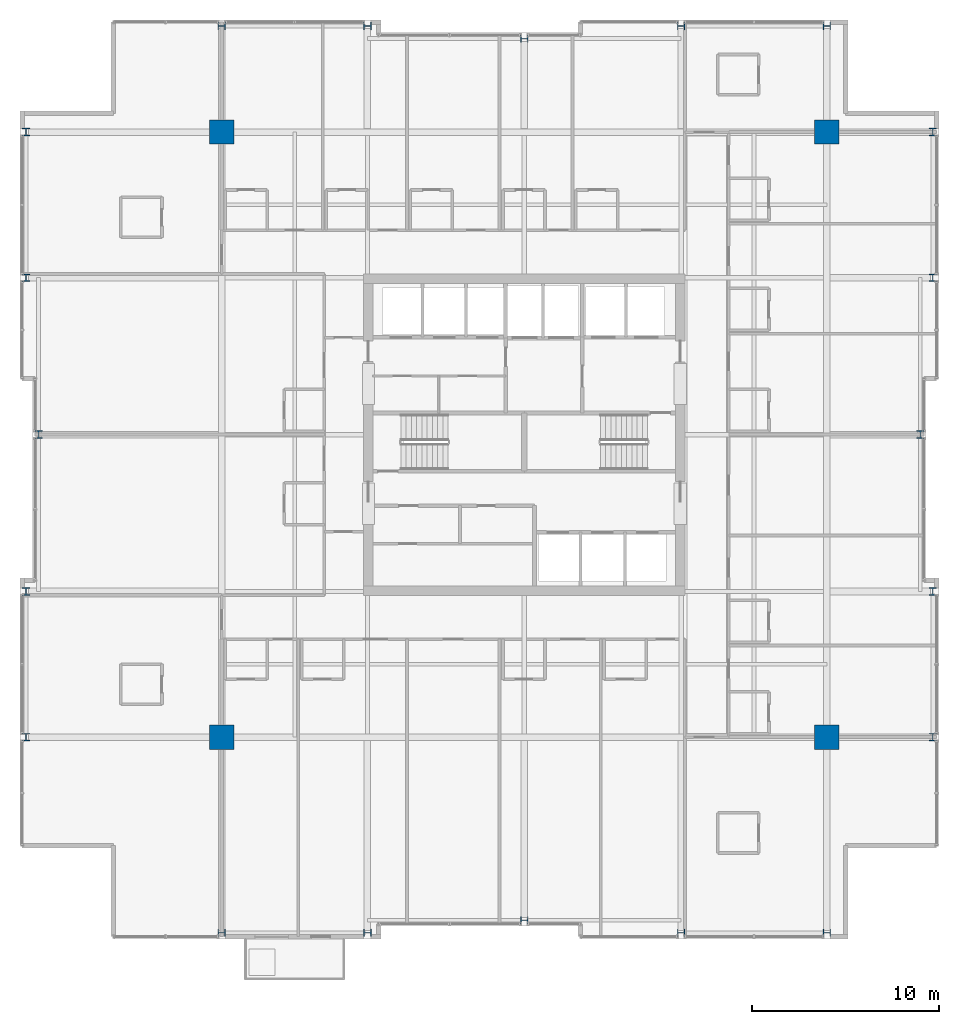
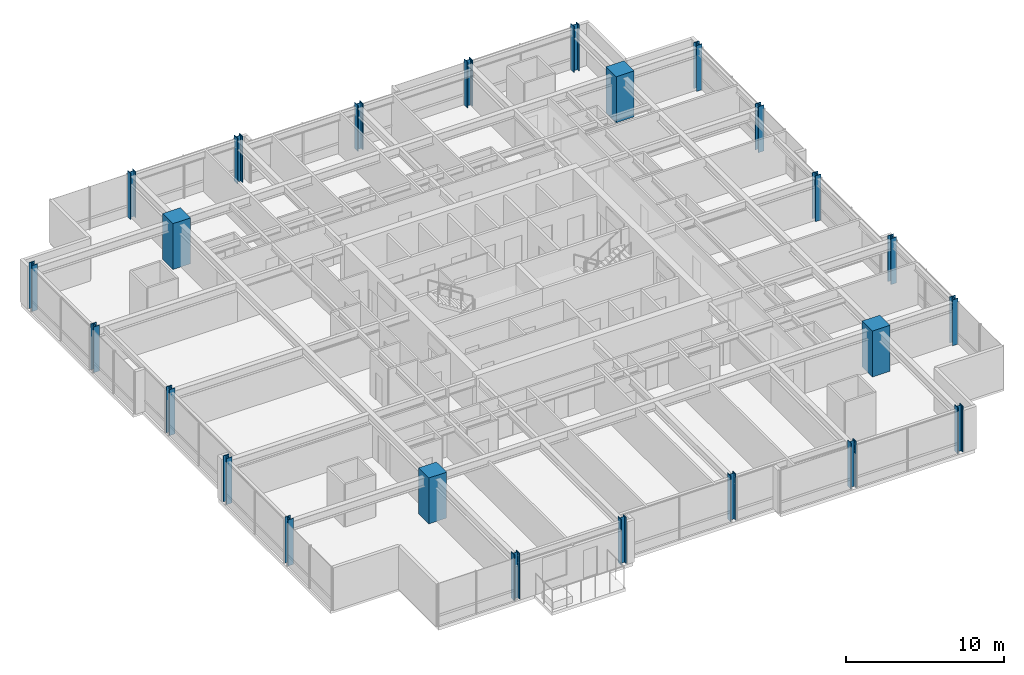
# One storey, part 1 of 32: 24 columns.
"""IFC4 building model written with IfcOpenShell, lengths in metres."""

from ifc_helpers import new_model, si_unit, direction, frame, origin, origin_2d, place, context, subcontext, project, spatial, rectangle, i_section, extrude, material, material_profile, profile_set, type_object, element, save


model = new_model("IFC4")

# Units and contexts
model_context = context("Model", 3, precision=1e-05, world=origin(), true_north=direction((0.0, 1.0)))
body_context = subcontext(model_context, "Body", "Model", "MODEL_VIEW")
ifc_project = project(units=[si_unit("LENGTHUNIT", "METRE"), si_unit("AREAUNIT", "SQUARE_METRE"), si_unit("VOLUMEUNIT", "CUBIC_METRE"), si_unit("PLANEANGLEUNIT", "RADIAN"), si_unit("MASSUNIT", "GRAM", prefix="KILO")], contexts=[model_context])

# Site, building, storey
site_placement = place(None, origin())
site = spatial("IfcSite", under=ifc_project, at=site_placement, CompositionType="ELEMENT")
building_placement = place(site_placement, origin())
building = spatial("IfcBuilding", under=site, at=building_placement, Name="Drelvath Grand Hotel", CompositionType="ELEMENT")
storey_placement = place(building_placement, frame((0.0, 0.0, 157.5)))
storey = spatial("IfcBuildingStorey", under=building, at=storey_placement, Name="L40", CompositionType="ELEMENT", Elevation=157.5)

# Columns
ifc_material_1 = material(Name="Concrete f'c 55 MPa", Category="concrete")
ifc_material_profile_1 = material_profile(ifc_material_1, rectangle(XDim=1.300048828125, YDim=1.300048828125, at=origin_2d()), Name="MC1300X1300")
ifc_profile_set_1 = profile_set([ifc_material_profile_1], Name="Concrete f'c 55 MPa")
column_type_1 = type_object("IfcColumnType", Name="Composite Mega Column MC1300X1300", PredefinedType="COLUMN", material=ifc_profile_set_1)
for number, where, z_axis, x_axis, name in (
    (1, (-16.199951171875, 10.800048828125, 0.0), (0.0, 0.0, 1.0), (1.0, 0.0, 0.0), "L40 Composite Mega Column MC-SW"),
    (2, (16.199951171875, 10.800048828125, 0.0), (0.0, 0.0, 1.0), (1.0, 0.0, 0.0), "L40 Composite Mega Column MC-SE"),
    (3, (-16.199951171875, 43.199951171875, 0.0), (0.0, 0.0, 1.0), (1.0, 0.0, 0.0), "L40 Composite Mega Column MC-NW"),
    (4, (16.199951171875, 43.199951171875, 0.0), (0.0, 0.0, 1.0), (1.0, 0.0, 0.0), "L40 Composite Mega Column MC-NE"),
):
    element("IfcColumn", number, at=place(storey_placement, frame(where, z_axis=z_axis, x_axis=x_axis)), inside=storey, type_object=column_type_1, Name=name, PredefinedType="COLUMN", context=body_context, shape_type="SweptSolid", body=[
        extrude(rectangle(XDim=1.300048828125, YDim=1.300048828125, at=origin_2d()), origin(), (0.0, 0.0, 1.0), 3.550048828125),
    ])
ifc_material_2 = material(Name="Steel ASTM A913 Gr 65", Category="steel")
ifc_material_profile_2 = material_profile(ifc_material_2, i_section(OverallWidth=0.40625, OverallDepth=0.416015625, WebThickness=0.02978515625, FlangeThickness=0.048095703125, FilletRadius=0.028076171875, at=origin_2d()), Name="W14X257")
ifc_profile_set_2 = profile_set([ifc_material_profile_2], Name="Steel ASTM A913 Gr 65")
column_type_2 = type_object("IfcColumnType", Name="Perimeter Steel Column W14X257", PredefinedType="COLUMN", material=ifc_profile_set_2)
for number, where, z_axis, x_axis, name in (
    (5, (-26.679931640625, 10.800048828125, 0.0), (0.0, 0.0, 1.0), (1.0, 0.0, 0.0), "L40 Structural Column TCW-C"),
    (6, (21.8798828125, 10.800048828125, 0.0), (0.0, 0.0, 1.0), (1.0, 0.0, 0.0), "L40 Structural Column TCE-C"),
    (7, (-26.679931640625, 18.60009765625, 0.0), (0.0, 0.0, 1.0), (1.0, 0.0, 0.0), "L40 Structural Column TCW-D"),
    (8, (21.8798828125, 18.60009765625, 0.0), (0.0, 0.0, 1.0), (1.0, 0.0, 0.0), "L40 Structural Column TCE-D"),
    (9, (-26.0, 27.0, 0.0), (0.0, 0.0, 1.0), (1.0, 0.0, 0.0), "L40 Structural Column TCW-E"),
    (10, (21.199951171875, 27.0, 0.0), (0.0, 0.0, 1.0), (1.0, 0.0, 0.0), "L40 Structural Column TCE-E"),
    (11, (-26.679931640625, 35.39990234375, 0.0), (0.0, 0.0, 1.0), (1.0, 0.0, 0.0), "L40 Structural Column TCW-F"),
    (12, (21.8798828125, 35.39990234375, 0.0), (0.0, 0.0, 1.0), (1.0, 0.0, 0.0), "L40 Structural Column TCE-F"),
    (13, (-26.679931640625, 43.199951171875, 0.0), (0.0, 0.0, 1.0), (1.0, 0.0, 0.0), "L40 Structural Column TCW-G"),
    (14, (21.8798828125, 43.199951171875, 0.0), (0.0, 0.0, 1.0), (1.0, 0.0, 0.0), "L40 Structural Column TCE-G"),
    (15, (-16.199951171875, 0.320068359375, 0.0), (0.0, 0.0, 1.0), (0.0, 1.0, 0.0), "L40 Structural Column TCS-3"),
    (16, (-16.199951171875, 48.8798828125, 0.0), (0.0, 0.0, 1.0), (0.0, 1.0, 0.0), "L40 Structural Column TCN-3"),
    (17, (-8.39990234375, 0.320068359375, 0.0), (0.0, 0.0, 1.0), (0.0, 1.0, 0.0), "L40 Structural Column TCS-4"),
    (18, (-8.39990234375, 48.8798828125, 0.0), (0.0, 0.0, 1.0), (0.0, 1.0, 0.0), "L40 Structural Column TCN-4"),
    (19, (0.0, 1.0, 0.0), (0.0, 0.0, 1.0), (0.0, 1.0, 0.0), "L40 Structural Column TCS-5"),
    (20, (0.0, 48.199951171875, 0.0), (0.0, 0.0, 1.0), (0.0, 1.0, 0.0), "L40 Structural Column TCN-5"),
    (21, (8.39990234375, 0.320068359375, 0.0), (0.0, 0.0, 1.0), (0.0, 1.0, 0.0), "L40 Structural Column TCS-6"),
    (22, (8.39990234375, 48.8798828125, 0.0), (0.0, 0.0, 1.0), (0.0, 1.0, 0.0), "L40 Structural Column TCN-6"),
    (23, (16.199951171875, 0.320068359375, 0.0), (0.0, 0.0, 1.0), (0.0, 1.0, 0.0), "L40 Structural Column TCS-7"),
    (24, (16.199951171875, 48.8798828125, 0.0), (0.0, 0.0, 1.0), (0.0, 1.0, 0.0), "L40 Structural Column TCN-7"),
):
    element("IfcColumn", number, at=place(storey_placement, frame(where, z_axis=z_axis, x_axis=x_axis)), inside=storey, type_object=column_type_2, Name=name, PredefinedType="COLUMN", context=body_context, shape_type="SweptSolid", body=[
        extrude(i_section(OverallWidth=0.40625, OverallDepth=0.416015625, WebThickness=0.02978515625, FlangeThickness=0.048095703125, FilletRadius=0.028076171875, at=origin_2d()), origin(), (0.0, 0.0, 1.0), 3.547119140625),
    ])

save(model, "model.ifc")
